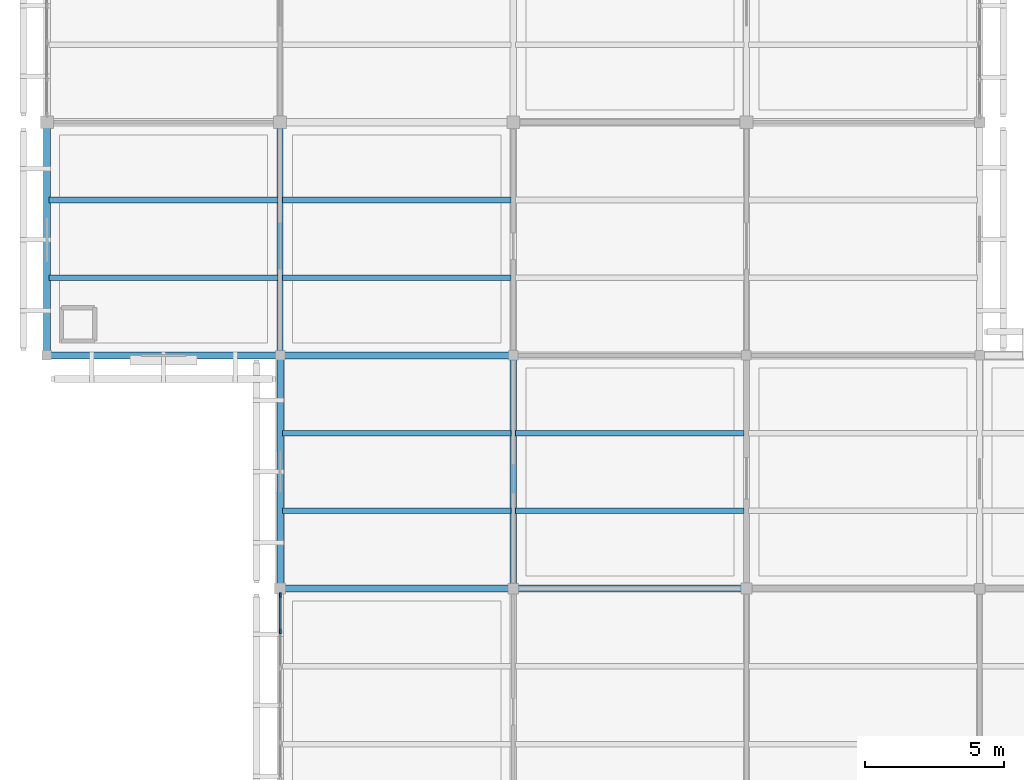
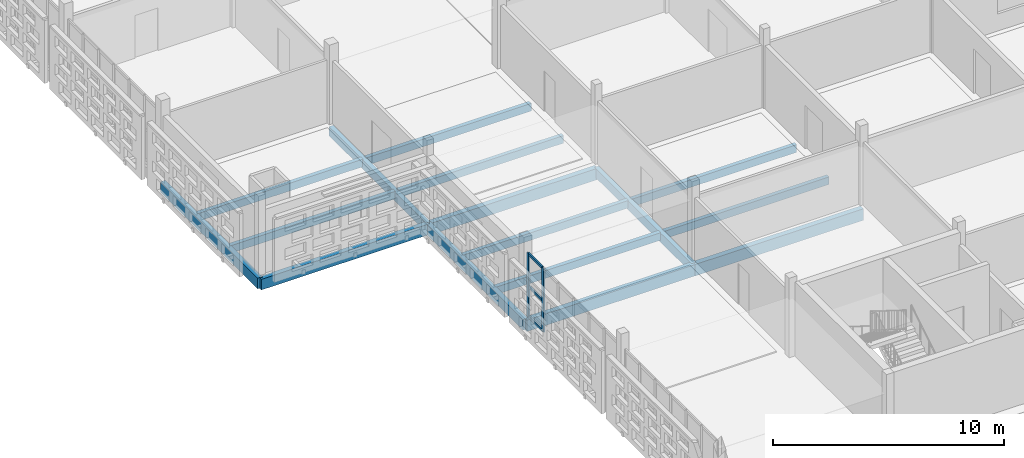
# One storey, part 18 of 140: 16 beams, 5 members, 1 element without a shape of its own.
"""IFC4 building model written with IfcOpenShell, lengths in metres."""

from ifc_helpers import new_model, si_unit, direction, frame, origin, origin_2d, place, context, subcontext, project, spatial, rectangle, extrude, material, layer, layer_set, material_profile, profile_set, type_object, element, aggregate, save


model = new_model("IFC4")

# Units and contexts
model_context = context("Model", 3, precision=1e-05, world=origin(), true_north=direction((0.0, 1.0)))
body_context = subcontext(model_context, "Body", "Model", "MODEL_VIEW")
ifc_project = project(units=[si_unit("LENGTHUNIT", "METRE"), si_unit("AREAUNIT", "SQUARE_METRE"), si_unit("VOLUMEUNIT", "CUBIC_METRE"), si_unit("PLANEANGLEUNIT", "RADIAN"), si_unit("MASSUNIT", "GRAM", prefix="KILO")], contexts=[model_context])

# Site, building, storey
site_placement = place(None, origin())
site = spatial("IfcSite", under=ifc_project, at=site_placement, CompositionType="ELEMENT")
building_placement = place(site_placement, origin())
building = spatial("IfcBuilding", under=site, at=building_placement, Name="Varnapada Polytechnic", CompositionType="ELEMENT")
storey_placement = place(building_placement, frame((0.0, 0.0, 13.800048828125)))
storey = spatial("IfcBuildingStorey", under=building, at=storey_placement, Name="L03", CompositionType="ELEMENT", Elevation=13.800048828125)

# Beams
ifc_material_1 = material(Name="Glulam GL32h", Category="wood")
ifc_material_profile_1 = material_profile(ifc_material_1, rectangle(XDim=0.199951171875, YDim=0.39990234375, at=origin_2d()), Name="GL 200x400")
ifc_profile_set_1 = profile_set([ifc_material_profile_1], Name="Glulam GL32h")
beam_type_1 = type_object("IfcBeamType", Name="Library/laboratory glulam floor joist GJ-01 (GL 200x400)", PredefinedType="JOIST", material=ifc_profile_set_1)
for number, where, z_axis, x_axis, name in (
    (1, (0.080078125, 44.800048828125, -0.43994140625), (1.0, 0.0, 0.0), (0.0, 1.0, 0.0), "L03 floor joist 1/6.1"),
    (2, (0.080078125, 47.60009765625, -0.43994140625), (1.0, 0.0, 0.0), (0.0, 1.0, 0.0), "L03 floor joist 1/6.2"),
    (3, (8.47998046875, 36.39990234375, -0.469970703125), (1.0, 0.0, 0.0), (0.0, 1.0, 0.0), "L03 floor joist 2/5.1"),
    (4, (8.47998046875, 39.199951171875, -0.469970703125), (1.0, 0.0, 0.0), (0.0, 1.0, 0.0), "L03 floor joist 2/5.2"),
    (5, (8.47998046875, 44.800048828125, -0.43994140625), (1.0, 0.0, 0.0), (0.0, 1.0, 0.0), "L03 floor joist 2/6.1"),
    (6, (8.47998046875, 47.60009765625, -0.43994140625), (1.0, 0.0, 0.0), (0.0, 1.0, 0.0), "L03 floor joist 2/6.2"),
):
    element("IfcBeam", number, at=place(storey_placement, frame(where, z_axis=z_axis, x_axis=x_axis)), inside=storey, type_object=beam_type_1, Name=name, PredefinedType="JOIST", context=body_context, shape_type="SweptSolid", body=[
        extrude(rectangle(XDim=0.199951171875, YDim=0.39990234375, at=origin_2d()), origin(), (0.0, 0.0, 1.0), 8.239990234375),
    ])
for number, where, z_axis, x_axis, name in (
    (7, (16.8798828125, 36.39990234375, -0.469970703125), (1.0, 0.0, 0.0), (0.0, 1.0, 0.0), "L03 floor joist 3/5.1"),
    (8, (16.8798828125, 39.199951171875, -0.469970703125), (1.0, 0.0, 0.0), (0.0, 1.0, 0.0), "L03 floor joist 3/5.2"),
):
    element("IfcBeam", number, at=place(storey_placement, frame(where, z_axis=z_axis, x_axis=x_axis)), inside=storey, type_object=beam_type_1, Name=name, PredefinedType="JOIST", context=body_context, shape_type="SweptSolid", body=[
        extrude(rectangle(XDim=0.199951171875, YDim=0.39990234375, at=origin_2d()), origin(), (0.0, 0.0, 1.0), 8.240234375),
    ])

# Curtain wall, members
ifc_material_2 = material(Name="Double low-E laminated glass", Category="glass")
ifc_layer = layer(ifc_material_2, 0.179931640625)
ifc_layer_set = layer_set([ifc_layer], Name="Double low-E laminated glass")
curtain_wall_type = type_object("IfcCurtainWallType", Name="Curtain Wall CW-03", PredefinedType="NOTDEFINED", material=ifc_layer_set)
curtain_wall_placement = place(storey_placement, origin())
curtain_wall = element("IfcCurtainWall", 9, at=curtain_wall_placement, inside=storey, type_object=curtain_wall_type, Name="L03 unitised curtain wall CW-03 (212)", PredefinedType="NOTDEFINED")
ifc_material_3 = material(Name="Anodised aluminium", Category="aluminium")
ifc_material_profile_2 = material_profile(ifc_material_3, rectangle(XDim=0.06494140625, YDim=0.179931640625, at=origin_2d()), Name="ALU M65x180")
ifc_profile_set_2 = profile_set([ifc_material_profile_2], Name="Anodised aluminium")
member_type_1 = type_object("IfcMemberType", Name="Mullion M-02", PredefinedType="MULLION", material=ifc_profile_set_2)
member_1_placement = place(storey_placement, frame((8.39990234375, 32.066650390625, 0.0), z_axis=(0.0, 0.0, 1.0), x_axis=(-1.0, 0.0, 0.0)))
member_1 = element("IfcMember", 10, at=member_1_placement, type_object=member_type_1, Name="CW-03 mullion 6", PredefinedType="MULLION", context=body_context, shape_type="SweptSolid", body=[
    extrude(rectangle(XDim=0.06494140625, YDim=0.179931640625, at=origin_2d()), origin(), (0.0, 0.0, 1.0), 3.35986328125),
])
member_2_placement = place(storey_placement, frame((8.39990234375, 33.367431640625, 0.0), z_axis=(0.0, 0.0, 1.0), x_axis=(-1.0, 0.0, 0.0)))
member_2 = element("IfcMember", 11, at=member_2_placement, type_object=member_type_1, Name="CW-03 mullion 7", PredefinedType="MULLION", context=body_context, shape_type="SweptSolid", body=[
    extrude(rectangle(XDim=0.06494140625, YDim=0.179931640625, at=origin_2d()), origin(), (0.0, 0.0, 1.0), 3.35986328125),
])

# Beams
ifc_material_profile_3 = material_profile(ifc_material_1, rectangle(XDim=0.239990234375, YDim=0.56005859375, at=origin_2d()), Name="GL 240x560")
ifc_profile_set_3 = profile_set([ifc_material_profile_3], Name="Glulam GL32h")
beam_type_2 = type_object("IfcBeamType", Name="Perimeter glulam spandrel beam SP-02 (GL 240x560)", PredefinedType="SPANDREL", material=ifc_profile_set_3)
for number, where, z_axis, x_axis, name in (
    (12, (0.0, 42.0, -0.550048828125), (1.0, 0.0, 0.0), (0.0, 1.0, 0.0), "L03 beam X 1-2 at Y6"),
    (13, (0.0, 42.0, -0.52001953125), (0.0, 1.0, 0.0), (-1.0, 0.0, 0.0), "L03 beam Y 6-7 at X1"),
    (14, (8.39990234375, 33.60009765625, -0.550048828125), (0.0, 1.0, 0.0), (-1.0, 0.0, 0.0), "L03 beam Y 5-6 at X2"),
):
    element("IfcBeam", number, at=place(storey_placement, frame(where, z_axis=z_axis, x_axis=x_axis)), inside=storey, type_object=beam_type_2, Name=name, PredefinedType="SPANDREL", context=body_context, shape_type="SweptSolid", body=[
        extrude(rectangle(XDim=0.239990234375, YDim=0.56005859375, at=origin_2d()), origin(), (0.0, 0.0, 1.0), 8.39990234375),
    ])
ifc_material_profile_4 = material_profile(ifc_material_1, rectangle(XDim=0.260009765625, YDim=0.60009765625, at=origin_2d()), Name="GL 260x600")
ifc_profile_set_4 = profile_set([ifc_material_profile_4], Name="Glulam GL32h")
beam_type_3 = type_object("IfcBeamType", Name="Seminar wing glulam girder GG-05 (GL 260x600)", PredefinedType="BEAM", material=ifc_profile_set_4)
for number, where, z_axis, x_axis, name in (
    (15, (8.39990234375, 33.60009765625, -0.570068359375), (1.0, 0.0, 0.0), (0.0, 1.0, 0.0), "L03 beam X 2-3 at Y5"),
    (16, (8.39990234375, 42.0, -0.570068359375), (1.0, 0.0, 0.0), (0.0, 1.0, 0.0), "L03 beam X 2-3 at Y6"),
):
    element("IfcBeam", number, at=place(storey_placement, frame(where, z_axis=z_axis, x_axis=x_axis)), inside=storey, type_object=beam_type_3, Name=name, PredefinedType="BEAM", context=body_context, shape_type="SweptSolid", body=[
        extrude(rectangle(XDim=0.260009765625, YDim=0.60009765625, at=origin_2d()), origin(), (0.0, 0.0, 1.0), 8.400146484375),
    ])
beam_placement = place(storey_placement, frame((16.800048828125, 33.60009765625, -0.570068359375), z_axis=(1.0, 0.0, 0.0), x_axis=(0.0, 1.0, 0.0)))
element("IfcBeam", 17, at=beam_placement, inside=storey, type_object=beam_type_3, Name="L03 beam X 3-4 at Y5", PredefinedType="BEAM", context=body_context, shape_type="SweptSolid", body=[
    extrude(rectangle(XDim=0.260009765625, YDim=0.60009765625, at=origin_2d()), origin(), (0.0, 0.0, 1.0), 8.39990234375),
])

# Member
ifc_material_profile_5 = material_profile(ifc_material_3, rectangle(XDim=0.06494140625, YDim=0.139892578125, at=origin_2d()), Name="ALU T65x140")
ifc_profile_set_5 = profile_set([ifc_material_profile_5], Name="Anodised aluminium")
member_type_2 = type_object("IfcMemberType", Name="Transom T-02", PredefinedType="USERDEFINED", material=ifc_profile_set_5)
member_3_placement = place(storey_placement, frame((8.39990234375, 32.09912109375, 0.032470703125), z_axis=(0.0, 1.0, 0.0), x_axis=(-1.0, 0.0, 0.0)))
member_3 = element("IfcMember", 18, at=member_3_placement, type_object=member_type_2, Name="CW-03 transom 6.1", ObjectType="TRANSOM", PredefinedType="USERDEFINED", context=body_context, shape_type="SweptSolid", body=[
    extrude(rectangle(XDim=0.06494140625, YDim=0.139892578125, at=origin_2d()), origin(), (0.0, 0.0, 1.0), 1.23583984375),
])

member_4_placement = place(storey_placement, frame((8.39990234375, 32.09912109375, 1.61279296875), z_axis=(0.0, 1.0, 0.0), x_axis=(-1.0, 0.0, 0.0)))
member_4 = element("IfcMember", 19, at=member_4_placement, type_object=member_type_2, Name="CW-03 transom 6.2", ObjectType="TRANSOM", PredefinedType="USERDEFINED", context=body_context, shape_type="SweptSolid", body=[
    extrude(rectangle(XDim=0.06494140625, YDim=0.139892578125, at=origin_2d()), origin(), (0.0, 0.0, 1.0), 1.23583984375),
])

member_5_placement = place(storey_placement, frame((8.39990234375, 32.09912109375, 3.327392578125), z_axis=(0.0, 1.0, 0.0), x_axis=(-1.0, 0.0, 0.0)))
member_5 = element("IfcMember", 20, at=member_5_placement, type_object=member_type_2, Name="CW-03 transom 6.3", ObjectType="TRANSOM", PredefinedType="USERDEFINED", context=body_context, shape_type="SweptSolid", body=[
    extrude(rectangle(XDim=0.06494140625, YDim=0.139892578125, at=origin_2d()), origin(), (0.0, 0.0, 1.0), 1.23583984375),
])

aggregate(curtain_wall, [member_1, member_2, member_3, member_4, member_5])

# Beams
ifc_material_profile_6 = material_profile(ifc_material_1, rectangle(XDim=0.219970703125, YDim=0.47998046875, at=origin_2d()), Name="GL 220x480")
ifc_profile_set_6 = profile_set([ifc_material_profile_6], Name="Glulam GL32h")
beam_type_4 = type_object("IfcBeamType", Name="Upper floor glulam tie beam GB-11 (GL 220x480)", PredefinedType="BEAM", material=ifc_profile_set_6)
for number, where, z_axis, x_axis, name in (
    (21, (8.39990234375, 42.0, -0.510009765625), (0.0, 1.0, 0.0), (-1.0, 0.0, 0.0), "L03 beam Y 6-7 at X2"),
    (22, (16.800048828125, 33.60009765625, -0.510009765625), (0.0, 1.0, 0.0), (-1.0, 0.0, 0.0), "L03 beam Y 5-6 at X3"),
):
    element("IfcBeam", number, at=place(storey_placement, frame(where, z_axis=z_axis, x_axis=x_axis)), inside=storey, type_object=beam_type_4, Name=name, PredefinedType="BEAM", context=body_context, shape_type="SweptSolid", body=[
        extrude(rectangle(XDim=0.219970703125, YDim=0.47998046875, at=origin_2d()), origin(), (0.0, 0.0, 1.0), 8.39990234375),
    ])

save(model, "model.ifc")
